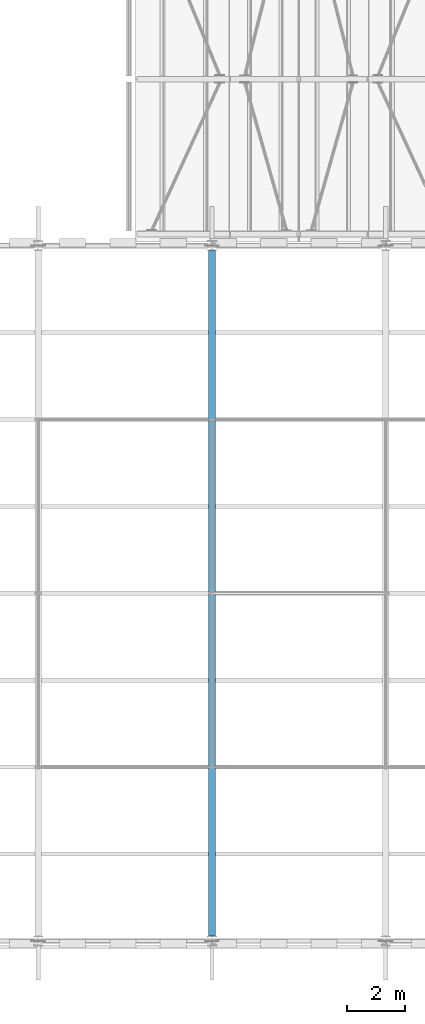
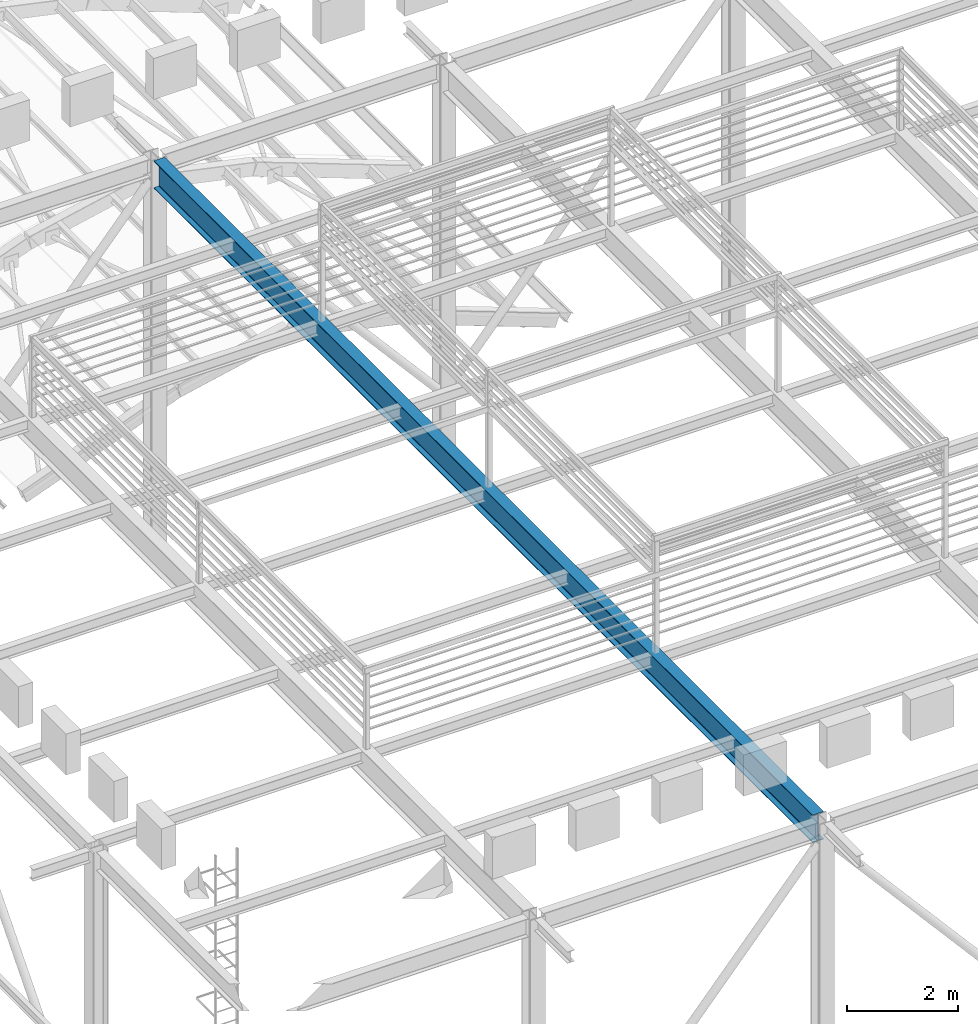
# One storey, part 9 of 57: 1 beam.
"""IFC4 building model written with IfcOpenShell, lengths in metres."""

from ifc_helpers import new_model, si_unit, direction, frame, origin, origin_2d, place, context, subcontext, project, spatial, i_section, extrude, material, material_profile, profile_set, type_object, element, save


model = new_model("IFC4")

# Units and contexts
model_context = context("Model", 3, precision=1e-05, world=origin(), true_north=direction((0.0, 1.0)))
body_context = subcontext(model_context, "Body", "Model", "MODEL_VIEW")
ifc_project = project(units=[si_unit("LENGTHUNIT", "METRE"), si_unit("AREAUNIT", "SQUARE_METRE"), si_unit("VOLUMEUNIT", "CUBIC_METRE"), si_unit("PLANEANGLEUNIT", "RADIAN"), si_unit("MASSUNIT", "GRAM", prefix="KILO")], contexts=[model_context])

# Site, building, storey
site_placement = place(None, origin())
site = spatial("IfcSite", under=ifc_project, at=site_placement, CompositionType="ELEMENT")
building_placement = place(site_placement, origin())
building = spatial("IfcBuilding", under=site, at=building_placement, Name="Saffron Lane Theatres", CompositionType="ELEMENT")
storey_placement = place(building_placement, frame((0.0, 0.0, 28.0)))
storey = spatial("IfcBuildingStorey", under=building, at=storey_placement, Name="Upper Roof", CompositionType="ELEMENT", Elevation=28.0)

# Beam
ifc_material = material(Name="Steel Grade 350", Category="steel")
ifc_material_profile = material_profile(ifc_material, i_section(OverallWidth=0.22802734375, OverallDepth=0.60693359375, WebThickness=0.01123046875, FlangeThickness=0.017333984375, FilletRadius=0.013916015625, at=origin_2d()))
ifc_profile_set = profile_set([ifc_material_profile], Name="Steel Grade 350")
beam_type = type_object("IfcBeamType", Name="ST-ROOF PRIMARY 610UB113", PredefinedType="BEAM", material=ifc_profile_set)
beam_placement = place(storey_placement, frame((30.0, 30.41357421875, 8.54638671875), z_axis=(0.0, 1.0, 0.0), x_axis=(-1.0, 0.0, 0.0)))
element("IfcBeam", 1, at=beam_placement, inside=storey, type_object=beam_type, Name="TS2", PredefinedType="BEAM", context=body_context, shape_type="SweptSolid", body=[
    extrude(i_section(OverallWidth=0.22802734375, OverallDepth=0.60693359375, WebThickness=0.01123046875, FlangeThickness=0.017333984375, FilletRadius=0.013916015625, at=origin_2d()), origin(), (0.0, 0.0, 1.0), 23.6728515625),
])

save(model, "model.ifc")
